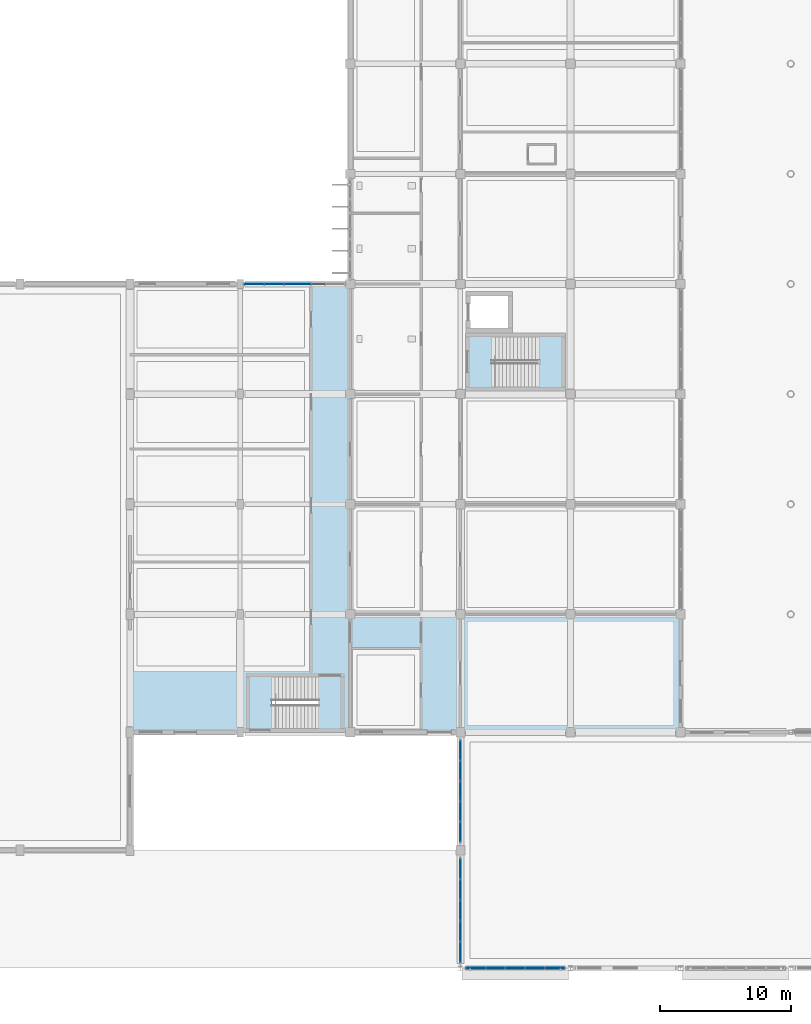
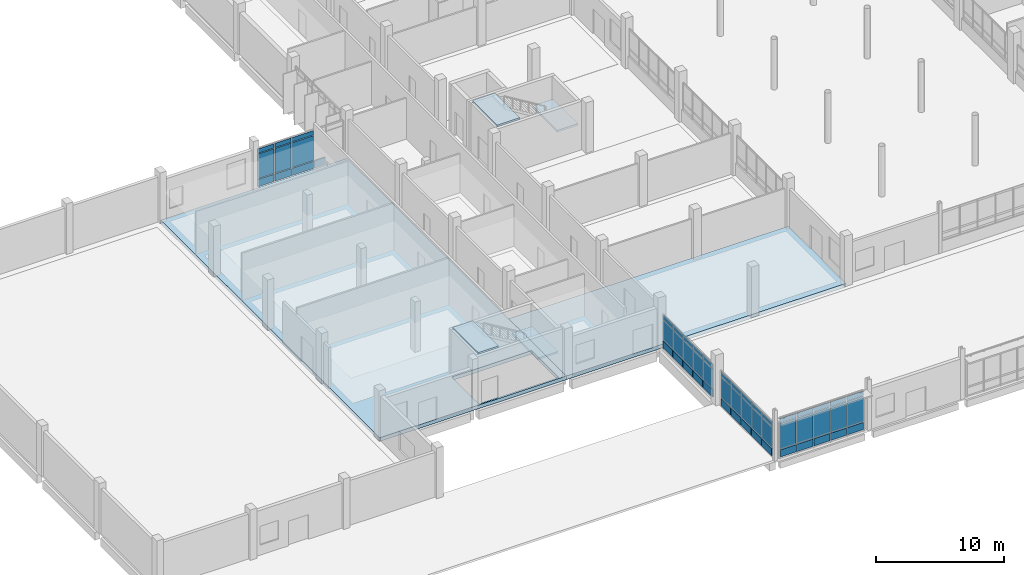
# One storey, part 62 of 95: 55 plates, 6 slabs, 1 opening, 6 elements without a shape of their own.
"""IFC4 building model written with IfcOpenShell, lengths in metres."""

import ifcopenshell
import ifcopenshell.guid

model = None  # the IFC model being written
_history = None  # IfcOwnerHistory: only IFC2X3 demands one
_inside = {}  # id of a spatial element -> (the spatial element, [elements in it])
_under = {}  # id of a project, library or spatial element -> (it, [spatial elements below it])
_declared = {}  # id of a project -> (the project, [libraries it declares])
_typed = {}  # id of a type object -> (the type object, [elements of that type])
_made_of = {}  # id of a material, layer set ... -> (it, [elements and type objects made of it])


def new_model(schema):
    """Start an empty IFC model of exactly this schema.

    Asked for "IFC4X3", IfcOpenShell would pick the latest addendum, in which some entities
    have other attributes; the version numbers below select the first issue.
    IFC2X3 requires an IfcOwnerHistory on every rooted entity: one is made here for all.
    """
    global model, _history
    if schema == "IFC4X3":
        model = ifcopenshell.file(schema_version=(4, 3, 0, 0))
    else:
        model = ifcopenshell.file(schema=schema)
    _inside.clear()
    _under.clear()
    _declared.clear()
    _typed.clear()
    _made_of.clear()
    _history = None
    if model.schema == "IFC2X3":
        org = make("IfcOrganization", Name="unknown")
        user = make(
            "IfcPersonAndOrganization",
            ThePerson=make("IfcPerson", FamilyName="unknown"),
            TheOrganization=org,
        )
        app = make(
            "IfcApplication",
            ApplicationDeveloper=org,
            Version="unknown",
            ApplicationFullName="unknown",
            ApplicationIdentifier="unknown",
        )
        _history = make(
            "IfcOwnerHistory",
            OwningUser=user,
            OwningApplication=app,
            ChangeAction="ADDED",
            CreationDate=0,
        )
    return model


def make(cls, **values):
    """One entity of the class cls with the attributes given. An attribute that is None is left unset."""
    return model.create_entity(
        cls, **{name: value for name, value in values.items() if value is not None}
    )


def rooted(cls, **values):
    """An entity with a GlobalId (a new one), such as an element, a storey or a relation."""
    return make(cls, GlobalId=ifcopenshell.guid.new(), OwnerHistory=_history, **values)


def si_unit(unit_type, name, prefix=None):
    """IfcSIUnit, for example si_unit("LENGTHUNIT", "METRE", prefix="MILLI")."""
    return make("IfcSIUnit", UnitType=unit_type, Prefix=prefix, Name=name)


def assignment(units):
    """IfcUnitAssignment: the units of a project."""
    return None if units is None else make("IfcUnitAssignment", Units=units)


def point(xyz):
    """IfcCartesianPoint."""
    return None if xyz is None else make("IfcCartesianPoint", Coordinates=xyz)


def direction(xyz):
    """IfcDirection."""
    return None if xyz is None else make("IfcDirection", DirectionRatios=xyz)


def frame(location, z_axis=None, x_axis=None):
    """IfcAxis2Placement3D, a coordinate frame: its origin and axes. An axis left out is left unset."""
    return make(
        "IfcAxis2Placement3D",
        Location=point(location),
        Axis=direction(z_axis),
        RefDirection=direction(x_axis),
    )


def frame_2d(location, x_axis=None):
    """IfcAxis2Placement2D, a coordinate frame in the plane: its origin and x axis."""
    return make(
        "IfcAxis2Placement2D", Location=point(location), RefDirection=direction(x_axis)
    )


def origin():
    """The frame at (0, 0, 0) with its axes left unset."""
    return frame((0.0, 0.0, 0.0))


def origin_2d():
    """The frame at (0, 0) in the plane with its x axis left unset."""
    return frame_2d((0.0, 0.0))


def place(relative_to, where):
    """IfcLocalPlacement: puts the frame where relative to a parent placement (None: the world)."""
    return make(
        "IfcLocalPlacement", PlacementRelTo=relative_to, RelativePlacement=where
    )


def context(
    kind, dimensions, precision=None, world=None, true_north=None, identifier=None
):
    """IfcGeometricRepresentationContext, for example the 3D "Model" context."""
    return make(
        "IfcGeometricRepresentationContext",
        ContextIdentifier=identifier,
        ContextType=kind,
        CoordinateSpaceDimension=dimensions,
        Precision=precision,
        WorldCoordinateSystem=world,
        TrueNorth=true_north,
    )


def subcontext(parent, identifier, kind, view, scale=None):
    """IfcGeometricRepresentationSubContext, for example "Body" below "Model"."""
    return make(
        "IfcGeometricRepresentationSubContext",
        ContextIdentifier=identifier,
        ContextType=kind,
        ParentContext=parent,
        TargetScale=scale,
        TargetView=view,
    )


def project(units=None, contexts=None):
    """IfcProject with its units and contexts."""
    return rooted(
        "IfcProject",
        Name="project",
        RepresentationContexts=contexts,
        UnitsInContext=assignment(units),
    )


def spatial(cls, under=None, at=None, **own):
    """A site, building, storey or space (cls), placed at a placement, below another one or the project."""
    s = rooted(cls, ObjectPlacement=at, **own)
    if under is not None:
        _under.setdefault(under.id(), (under, []))[1].append(s)
    return s


def polyline(points):
    """IfcPolyline through the points."""
    return make("IfcPolyline", Points=[point(p) for p in points])


def profile(cls, at=None, kind="AREA", **sizes):
    """A parametric profile (cls). Its sizes go by their IFC names, for example OverallWidth=200.0."""
    return make(cls, ProfileType=kind, Position=at, **sizes)


def rectangle(**sizes):
    """IfcRectangleProfileDef."""
    return profile("IfcRectangleProfileDef", **sizes)


def outline(outer, holes=None, kind="AREA"):
    """IfcArbitraryClosedProfileDef: a profile drawn as a closed curve; with holes, ...WithVoids."""
    if holes is None:
        return make("IfcArbitraryClosedProfileDef", ProfileType=kind, OuterCurve=outer)
    return make(
        "IfcArbitraryProfileDefWithVoids",
        ProfileType=kind,
        OuterCurve=outer,
        InnerCurves=holes,
    )


def extrude(swept, where, along, depth):
    """IfcExtrudedAreaSolid: the profile swept, set in the frame where, extruded along a direction by depth."""
    return make(
        "IfcExtrudedAreaSolid",
        SweptArea=swept,
        Position=where,
        ExtrudedDirection=direction(along),
        Depth=depth,
    )


def shape(context_of_items, identifier, shape_type, items):
    """IfcShapeRepresentation: the items that make up one representation, for example the "Body"."""
    return make(
        "IfcShapeRepresentation",
        ContextOfItems=context_of_items,
        RepresentationIdentifier=identifier,
        RepresentationType=shape_type,
        Items=items,
    )


def material(Name=None, Category=None):
    """IfcMaterial."""
    return make("IfcMaterial", Name=Name, Category=Category)


def layer(
    of_material, thickness, ventilated=None, Name=None, Category=None, Priority=None
):
    """IfcMaterialLayer: one layer of a wall or slab, of a material (None: an air gap)."""
    return make(
        "IfcMaterialLayer",
        Material=of_material,
        LayerThickness=thickness,
        IsVentilated=ventilated,
        Name=Name,
        Category=Category,
        Priority=Priority,
    )


def layer_set(layers, Name=None):
    """IfcMaterialLayerSet."""
    return make("IfcMaterialLayerSet", MaterialLayers=layers, LayerSetName=Name)


def made_of(thing, what):
    """Note that an element or type object is made of a material, layer set ...; save() writes the relation."""
    if what is not None:
        _made_of.setdefault(what.id(), (what, []))[1].append(thing)
    return thing


def type_object(cls, material=None, **own):
    """A type object (cls), such as IfcWallType, which elements share."""
    return made_of(rooted(cls, **own), material)


def element(
    cls,
    number,
    at=None,
    inside=None,
    cuts=None,
    type_object=None,
    material=None,
    context=None,
    identifier="Body",
    shape_type=None,
    held_by="IfcProductDefinitionShape",
    body=None,
    shapes=None,
    **own,
):
    """One element of the class cls, such as IfcWall. Its Tag is "e" and its number.

    at: its placement. inside: the storey or other place that contains it. cuts: it is an
    opening in that element (IfcRelVoidsElement). A single representation is given by context,
    identifier, shape_type and body (its items); several are given by shapes. held_by: the class
    of the entity that holds the representations. save() writes the other relations.
    """
    e = rooted(cls, Tag="e%d" % number, ObjectPlacement=at, **own)
    if body is not None:
        shapes = [shape(context, identifier, shape_type, body)]
    if shapes is not None:
        e.Representation = make(held_by, Representations=shapes)
    if inside is not None:
        _inside.setdefault(inside.id(), (inside, []))[1].append(e)
    if cuts is not None:
        rooted(
            "IfcRelVoidsElement", RelatingBuildingElement=cuts, RelatedOpeningElement=e
        )
    if type_object is not None:
        _typed.setdefault(type_object.id(), (type_object, []))[1].append(e)
    return made_of(e, material)


def aggregate(whole, parts):
    """IfcRelAggregates: a whole, such as a stair, and the parts it consists of."""
    return rooted("IfcRelAggregates", RelatingObject=whole, RelatedObjects=parts)


def save(model, path):
    """Write the relations noted so far, then the file.

    IfcRelAggregates (storeys below a building ...), IfcRelContainedInSpatialStructure (elements
    in a storey), IfcRelDefinesByType, IfcRelAssociatesMaterial and IfcRelDeclares: one each for
    every whole, place, type object, material and project.
    """
    for whole, parts in _under.values():
        aggregate(whole, parts)
    for where, things in _inside.values():
        rooted(
            "IfcRelContainedInSpatialStructure",
            RelatedElements=things,
            RelatingStructure=where,
        )
    for kind, things in _typed.values():
        rooted("IfcRelDefinesByType", RelatedObjects=things, RelatingType=kind)
    for what, things in _made_of.values():
        rooted("IfcRelAssociatesMaterial", RelatedObjects=things, RelatingMaterial=what)
    for by, libraries in _declared.values():
        rooted("IfcRelDeclares", RelatingContext=by, RelatedDefinitions=libraries)
    model.write(path)


model = new_model("IFC4")

# Units and contexts
model_context = context("Model", 3, precision=1e-05, world=origin(), true_north=direction((0.0, 1.0)))
body_context = subcontext(model_context, "Body", "Model", "MODEL_VIEW")
ifc_project = project(units=[si_unit("LENGTHUNIT", "METRE"), si_unit("AREAUNIT", "SQUARE_METRE"), si_unit("VOLUMEUNIT", "CUBIC_METRE"), si_unit("PLANEANGLEUNIT", "RADIAN"), si_unit("MASSUNIT", "GRAM", prefix="KILO")], contexts=[model_context])

# Site, building, storey
site_placement = place(None, origin())
site = spatial("IfcSite", under=ifc_project, at=site_placement, CompositionType="ELEMENT")
building_placement = place(site_placement, origin())
building = spatial("IfcBuilding", under=site, at=building_placement, Name="Vireocrest Preparatory School", CompositionType="ELEMENT")
storey_placement = place(building_placement, origin())
storey = spatial("IfcBuildingStorey", under=building, at=storey_placement, Name="L00", CompositionType="ELEMENT", Elevation=0.0)

# Curtain wall, plates
ifc_material_1 = material(Name="Thermally broken aluminium EN AW-6063-T6", Category="aluminium")
ifc_layer_1 = layer(ifc_material_1, 0.179931640625)
ifc_layer_set_1 = layer_set([ifc_layer_1], Name="Thermally broken aluminium EN AW-6063-T6")
curtain_wall_type_1 = type_object("IfcCurtainWallType", Name="Side Facade Curtain Wall 9000x4200", PredefinedType="USERDEFINED", material=ifc_layer_set_1)
curtain_wall_1_placement = place(storey_placement, origin())
curtain_wall_1 = element("IfcCurtainWall", 1, at=curtain_wall_1_placement, inside=storey, type_object=curtain_wall_type_1, Name="Curtain Wall CW07 CW_L00_CW07_0338_0522_000", ObjectType="CURTAIN WALL", PredefinedType="USERDEFINED")
ifc_material_2 = material(Name="Insulated triple low-e tempered safety glass", Category="glass")
ifc_layer_2 = layer(ifc_material_2, 0.074951171875)
ifc_layer_set_2 = layer_set([ifc_layer_2], Name="Insulated triple low-e tempered safety glass")
plate_type_1 = type_object("IfcPlateType", Name="Acoustic Triple-Glazed Lab Curtain Panel 75", PredefinedType="CURTAIN_PANEL", material=ifc_layer_set_2)
plate_1_placement = place(storey_placement, frame((34.657958984375, 52.199951171875, 0.882568359375), z_axis=(0.0, 0.0, 1.0), x_axis=(1.0, 0.0, 0.0)))
plate_1 = element("IfcPlate", 2, at=plate_1_placement, type_object=plate_type_1, Name="CW Panel GL2 CW_L00_CW07_0338_0522_000-1-2", PredefinedType="CURTAIN_PANEL", context=body_context, shape_type="SweptSolid", body=[
    extrude(rectangle(XDim=1.48095703125, YDim=0.074951171875, at=origin_2d()), origin(), (0.0, 0.0, 1.0), 2.35498046875),
])
plate_2_placement = place(storey_placement, frame((34.657958984375, 52.199951171875, 3.302734375), z_axis=(0.0, 0.0, 1.0), x_axis=(1.0, 0.0, 0.0)))
plate_2 = element("IfcPlate", 3, at=plate_2_placement, type_object=plate_type_1, Name="CW Panel GL2 CW_L00_CW07_0338_0522_000-1-3", PredefinedType="CURTAIN_PANEL", context=body_context, shape_type="SweptSolid", body=[
    extrude(rectangle(XDim=1.48095703125, YDim=0.074951171875, at=origin_2d()), origin(), (0.0, 0.0, 1.0), 0.409912109375),
])
plate_3_placement = place(storey_placement, frame((36.2041015625, 52.199951171875, 0.882568359375), z_axis=(0.0, 0.0, 1.0), x_axis=(1.0, 0.0, 0.0)))
plate_3 = element("IfcPlate", 4, at=plate_3_placement, type_object=plate_type_1, Name="CW Panel GL2 CW_L00_CW07_0338_0522_000-2-2", PredefinedType="CURTAIN_PANEL", context=body_context, shape_type="SweptSolid", body=[
    extrude(rectangle(XDim=1.48095703125, YDim=0.074951171875, at=origin_2d()), origin(), (0.0, 0.0, 1.0), 2.35498046875),
])
plate_4_placement = place(storey_placement, frame((36.2041015625, 52.199951171875, 3.302734375), z_axis=(0.0, 0.0, 1.0), x_axis=(1.0, 0.0, 0.0)))
plate_4 = element("IfcPlate", 5, at=plate_4_placement, type_object=plate_type_1, Name="CW Panel GL2 CW_L00_CW07_0338_0522_000-2-3", PredefinedType="CURTAIN_PANEL", context=body_context, shape_type="SweptSolid", body=[
    extrude(rectangle(XDim=1.48095703125, YDim=0.074951171875, at=origin_2d()), origin(), (0.0, 0.0, 1.0), 0.409912109375),
])
plate_5_placement = place(storey_placement, frame((37.988525390625, 52.199951171875, 0.882568359375), z_axis=(0.0, 0.0, 1.0), x_axis=(1.0, 0.0, 0.0)))
plate_5 = element("IfcPlate", 6, at=plate_5_placement, type_object=plate_type_1, Name="CW Panel GL2 CW_L00_CW07_0338_0522_000-3-2", PredefinedType="CURTAIN_PANEL", context=body_context, shape_type="SweptSolid", body=[
    extrude(rectangle(XDim=1.9580078125, YDim=0.074951171875, at=origin_2d()), origin(), (0.0, 0.0, 1.0), 2.35498046875),
])
plate_6_placement = place(storey_placement, frame((37.988525390625, 52.199951171875, 3.302734375), z_axis=(0.0, 0.0, 1.0), x_axis=(1.0, 0.0, 0.0)))
plate_6 = element("IfcPlate", 7, at=plate_6_placement, type_object=plate_type_1, Name="CW Panel GL2 CW_L00_CW07_0338_0522_000-3-3", PredefinedType="CURTAIN_PANEL", context=body_context, shape_type="SweptSolid", body=[
    extrude(rectangle(XDim=1.9580078125, YDim=0.074951171875, at=origin_2d()), origin(), (0.0, 0.0, 1.0), 0.409912109375),
])

# Slab, opening
ifc_material_3 = material(Name="Concrete 40 MPa", Category="concrete")
ifc_layer_3 = layer(ifc_material_3, 0.35009765625)
ifc_layer_set_3 = layer_set([ifc_layer_3], Name="Concrete 40 MPa")
slab_type_1 = type_object("IfcSlabType", Name="Ground-Floor Structural Transfer RC Slab 350", PredefinedType="FLOOR", material=ifc_layer_set_3)
slab_1_placement = place(storey_placement, frame((0.0, 0.0, -0.35009765625)))
slab_1 = element("IfcSlab", 8, at=slab_1_placement, inside=storey, type_object=slab_type_1, Name="Slab L00_WEST_LINK", PredefinedType="FLOOR", context=body_context, shape_type="SweptSolid", body=[
    extrude(outline(polyline([(25.199951171875, 18.0), (42.0, 18.0), (42.0, 52.199951171875), (25.199951171875, 52.199951171875), (25.199951171875, 18.0)])), origin(), (0.0, 0.0, 1.0), 0.35009765625),
])
opening_placement = place(slab_1_placement, frame((0.0, 0.0, -0.010009765625)))
element("IfcOpeningElement", 9, at=opening_placement, cuts=slab_1, Name="Slab Opening SLAB_L00_WEST_LINK-1", PredefinedType="OPENING", context=body_context, shape_type="SweptSolid", body=[
    extrude(outline(polyline([(34.199951171875, 18.14990234375), (41.39990234375, 18.14990234375), (41.39990234375, 22.35009765625), (34.199951171875, 22.35009765625), (34.199951171875, 18.14990234375)])), origin(), (0.0, 0.0, 1.0), 0.3701171875),
])

# Slab
slab_2_placement = place(storey_placement, frame((0.0, 0.0, -0.35009765625)))
element("IfcSlab", 10, at=slab_2_placement, inside=storey, type_object=slab_type_1, Name="Slab L00_WEST_SOUTH_FOYER", PredefinedType="FLOOR", context=body_context, shape_type="SweptSolid", body=[
    extrude(outline(polyline([(42.0, 18.0), (67.199951171875, 18.0), (67.199951171875, 27.0), (42.0, 27.0), (42.0, 18.0)])), origin(), (0.0, 0.0, 1.0), 0.35009765625),
])

# Plate
ifc_material_4 = material(Name="Painted white aluminium cladding EN AW-6063-T6", Category="aluminium")
ifc_layer_4 = layer(ifc_material_4, 0.114990234375)
ifc_layer_set_4 = layer_set([ifc_layer_4], Name="Painted white aluminium cladding EN AW-6063-T6")
plate_type_2 = type_object("IfcPlateType", Name="Insulated White Spandrel Curtain Panel 115", PredefinedType="CURTAIN_PANEL", material=ifc_layer_set_4)
plate_7_placement = place(storey_placement, frame((34.657958984375, 52.199951171875, 0.12744140625), z_axis=(0.0, 0.0, 1.0), x_axis=(1.0, 0.0, 0.0)))
plate_7 = element("IfcPlate", 11, at=plate_7_placement, type_object=plate_type_2, Name="CW Panel SP2 CW_L00_CW07_0338_0522_000-1-1", PredefinedType="CURTAIN_PANEL", context=body_context, shape_type="SweptSolid", body=[
    extrude(rectangle(XDim=1.48095703125, YDim=0.114990234375, at=origin_2d()), origin(), (0.0, 0.0, 1.0), 0.68994140625),
])

plate_8_placement = place(storey_placement, frame((36.2041015625, 52.199951171875, 0.12744140625), z_axis=(0.0, 0.0, 1.0), x_axis=(1.0, 0.0, 0.0)))
plate_8 = element("IfcPlate", 12, at=plate_8_placement, type_object=plate_type_2, Name="CW Panel SP2 CW_L00_CW07_0338_0522_000-2-1", PredefinedType="CURTAIN_PANEL", context=body_context, shape_type="SweptSolid", body=[
    extrude(rectangle(XDim=1.48095703125, YDim=0.114990234375, at=origin_2d()), origin(), (0.0, 0.0, 1.0), 0.68994140625),
])

plate_9_placement = place(storey_placement, frame((37.988525390625, 52.199951171875, 0.12744140625), z_axis=(0.0, 0.0, 1.0), x_axis=(1.0, 0.0, 0.0)))
plate_9 = element("IfcPlate", 13, at=plate_9_placement, type_object=plate_type_2, Name="CW Panel SP2 CW_L00_CW07_0338_0522_000-3-1", PredefinedType="CURTAIN_PANEL", context=body_context, shape_type="SweptSolid", body=[
    extrude(rectangle(XDim=1.9580078125, YDim=0.114990234375, at=origin_2d()), origin(), (0.0, 0.0, 1.0), 0.68994140625),
])

plate_10_placement = place(storey_placement, frame((39.534423828125, 52.199951171875, 0.12744140625), z_axis=(0.0, 0.0, 1.0), x_axis=(1.0, 0.0, 0.0)))
plate_10 = element("IfcPlate", 14, at=plate_10_placement, type_object=plate_type_2, Name="CW Panel SP2 CW_L00_CW07_0338_0522_000-4-1", PredefinedType="CURTAIN_PANEL", context=body_context, shape_type="SweptSolid", body=[
    extrude(rectangle(XDim=1.00390625, YDim=0.114990234375, at=origin_2d()), origin(), (0.0, 0.0, 1.0), 0.68994140625),
])

aggregate(curtain_wall_1, [plate_7, plate_1, plate_2, plate_8, plate_3, plate_4, plate_9, plate_5, plate_6, plate_10])

# Curtain wall, plates
ifc_layer_5 = layer(ifc_material_1, 0.179931640625)
ifc_layer_set_5 = layer_set([ifc_layer_5], Name="Thermally broken aluminium EN AW-6063-T6")
curtain_wall_type_2 = type_object("IfcCurtainWallType", Name="Dining Side Storefront 9000x4400", PredefinedType="USERDEFINED", material=ifc_layer_set_5)
curtain_wall_2_placement = place(storey_placement, origin())
curtain_wall_2 = element("IfcCurtainWall", 15, at=curtain_wall_2_placement, inside=storey, type_object=curtain_wall_type_2, Name="Curtain Wall CW11 CW_L00_CW11_0504_0003_000", ObjectType="CURTAIN WALL", PredefinedType="USERDEFINED")
plate_11_placement = place(storey_placement, frame((50.39990234375, 1.20751953125, 0.12744140625), z_axis=(0.0, 0.0, 1.0), x_axis=(0.0, 1.0, 0.0)))
plate_11 = element("IfcPlate", 16, at=plate_11_placement, type_object=plate_type_2, Name="CW Panel SP2 CW_L00_CW11_0504_0003_000-1-1", PredefinedType="CURTAIN_PANEL", context=body_context, shape_type="SweptSolid", body=[
    extrude(rectangle(XDim=1.5322265625, YDim=0.114990234375, at=origin_2d()), origin(), (0.0, 0.0, 1.0), 0.68994140625),
])
plate_12_placement = place(storey_placement, frame((50.39990234375, 2.8046875, 0.12744140625), z_axis=(0.0, 0.0, 1.0), x_axis=(0.0, 1.0, 0.0)))
plate_12 = element("IfcPlate", 17, at=plate_12_placement, type_object=plate_type_2, Name="CW Panel SP2 CW_L00_CW11_0504_0003_000-2-1", PredefinedType="CURTAIN_PANEL", context=body_context, shape_type="SweptSolid", body=[
    extrude(rectangle(XDim=1.5322265625, YDim=0.114990234375, at=origin_2d()), origin(), (0.0, 0.0, 1.0), 0.68994140625),
])
plate_13_placement = place(storey_placement, frame((50.39990234375, 4.402099609375, 0.12744140625), z_axis=(0.0, 0.0, 1.0), x_axis=(0.0, 1.0, 0.0)))
plate_13 = element("IfcPlate", 18, at=plate_13_placement, type_object=plate_type_2, Name="CW Panel SP2 CW_L00_CW11_0504_0003_000-3-1", PredefinedType="CURTAIN_PANEL", context=body_context, shape_type="SweptSolid", body=[
    extrude(rectangle(XDim=1.5322265625, YDim=0.114990234375, at=origin_2d()), origin(), (0.0, 0.0, 1.0), 0.68994140625),
])
plate_14_placement = place(storey_placement, frame((50.39990234375, 5.999267578125, 0.12744140625), z_axis=(0.0, 0.0, 1.0), x_axis=(0.0, 1.0, 0.0)))
plate_14 = element("IfcPlate", 19, at=plate_14_placement, type_object=plate_type_2, Name="CW Panel SP2 CW_L00_CW11_0504_0003_000-4-1", PredefinedType="CURTAIN_PANEL", context=body_context, shape_type="SweptSolid", body=[
    extrude(rectangle(XDim=1.5322265625, YDim=0.114990234375, at=origin_2d()), origin(), (0.0, 0.0, 1.0), 0.68994140625),
])
plate_15_placement = place(storey_placement, frame((50.39990234375, 7.596435546875, 0.12744140625), z_axis=(0.0, 0.0, 1.0), x_axis=(0.0, 1.0, 0.0)))
plate_15 = element("IfcPlate", 20, at=plate_15_placement, type_object=plate_type_2, Name="CW Panel SP2 CW_L00_CW11_0504_0003_000-5-1", PredefinedType="CURTAIN_PANEL", context=body_context, shape_type="SweptSolid", body=[
    extrude(rectangle(XDim=1.5322265625, YDim=0.114990234375, at=origin_2d()), origin(), (0.0, 0.0, 1.0), 0.68994140625),
])

curtain_wall_3_placement = place(storey_placement, origin())
curtain_wall_3 = element("IfcCurtainWall", 21, at=curtain_wall_3_placement, inside=storey, type_object=curtain_wall_type_2, Name="Curtain Wall CW11 CW_L00_CW11_0504_0095_000", ObjectType="CURTAIN WALL", PredefinedType="USERDEFINED")
plate_16_placement = place(storey_placement, frame((50.39990234375, 10.384033203125, 0.12744140625), z_axis=(0.0, 0.0, 1.0), x_axis=(0.0, 1.0, 0.0)))
plate_16 = element("IfcPlate", 22, at=plate_16_placement, type_object=plate_type_2, Name="CW Panel SP2 CW_L00_CW11_0504_0095_000-1-1", PredefinedType="CURTAIN_PANEL", context=body_context, shape_type="SweptSolid", body=[
    extrude(rectangle(XDim=1.492919921875, YDim=0.114990234375, at=origin_2d()), origin(), (0.0, 0.0, 1.0), 0.68994140625),
])
plate_17_placement = place(storey_placement, frame((50.39990234375, 11.94189453125, 0.12744140625), z_axis=(0.0, 0.0, 1.0), x_axis=(0.0, 1.0, 0.0)))
plate_17 = element("IfcPlate", 23, at=plate_17_placement, type_object=plate_type_2, Name="CW Panel SP2 CW_L00_CW11_0504_0095_000-2-1", PredefinedType="CURTAIN_PANEL", context=body_context, shape_type="SweptSolid", body=[
    extrude(rectangle(XDim=1.492919921875, YDim=0.114990234375, at=origin_2d()), origin(), (0.0, 0.0, 1.0), 0.68994140625),
])
plate_18_placement = place(storey_placement, frame((50.39990234375, 13.5, 0.12744140625), z_axis=(0.0, 0.0, 1.0), x_axis=(0.0, 1.0, 0.0)))
plate_18 = element("IfcPlate", 24, at=plate_18_placement, type_object=plate_type_2, Name="CW Panel SP2 CW_L00_CW11_0504_0095_000-3-1", PredefinedType="CURTAIN_PANEL", context=body_context, shape_type="SweptSolid", body=[
    extrude(rectangle(XDim=1.492919921875, YDim=0.114990234375, at=origin_2d()), origin(), (0.0, 0.0, 1.0), 0.68994140625),
])
plate_19_placement = place(storey_placement, frame((50.39990234375, 15.05810546875, 0.12744140625), z_axis=(0.0, 0.0, 1.0), x_axis=(0.0, 1.0, 0.0)))
plate_19 = element("IfcPlate", 25, at=plate_19_placement, type_object=plate_type_2, Name="CW Panel SP2 CW_L00_CW11_0504_0095_000-4-1", PredefinedType="CURTAIN_PANEL", context=body_context, shape_type="SweptSolid", body=[
    extrude(rectangle(XDim=1.492919921875, YDim=0.114990234375, at=origin_2d()), origin(), (0.0, 0.0, 1.0), 0.68994140625),
])
plate_20_placement = place(storey_placement, frame((50.39990234375, 16.615966796875, 0.12744140625), z_axis=(0.0, 0.0, 1.0), x_axis=(0.0, 1.0, 0.0)))
plate_20 = element("IfcPlate", 26, at=plate_20_placement, type_object=plate_type_2, Name="CW Panel SP2 CW_L00_CW11_0504_0095_000-5-1", PredefinedType="CURTAIN_PANEL", context=body_context, shape_type="SweptSolid", body=[
    extrude(rectangle(XDim=1.492919921875, YDim=0.114990234375, at=origin_2d()), origin(), (0.0, 0.0, 1.0), 0.68994140625),
])

ifc_layer_6 = layer(ifc_material_1, 0.179931640625)
ifc_layer_set_6 = layer_set([ifc_layer_6], Name="Thermally broken aluminium EN AW-6063-T6")
curtain_wall_type_3 = type_object("IfcCurtainWallType", Name="Dining Garden Storefront 8400x4400", PredefinedType="USERDEFINED", material=ifc_layer_set_6)
curtain_wall_4_placement = place(storey_placement, origin())
curtain_wall_4 = element("IfcCurtainWall", 27, at=curtain_wall_4_placement, inside=storey, type_object=curtain_wall_type_3, Name="Curtain Wall CW10 CW_L00_CW10_0507_0000_000", ObjectType="CURTAIN WALL", PredefinedType="USERDEFINED")
plate_21_placement = place(storey_placement, frame((51.562744140625, 0.0, 0.12744140625), z_axis=(0.0, 0.0, 1.0), x_axis=(1.0, 0.0, 0.0)))
plate_21 = element("IfcPlate", 28, at=plate_21_placement, type_object=plate_type_2, Name="CW Panel SP2 CW_L00_CW10_0507_0000_000-1-1", PredefinedType="CURTAIN_PANEL", context=body_context, shape_type="SweptSolid", body=[
    extrude(rectangle(XDim=1.445556640625, YDim=0.114990234375, at=origin_2d()), origin(), (0.0, 0.0, 1.0), 0.68994140625),
])
plate_22_placement = place(storey_placement, frame((53.073486328125, 0.0, 0.12744140625), z_axis=(0.0, 0.0, 1.0), x_axis=(1.0, 0.0, 0.0)))
plate_22 = element("IfcPlate", 29, at=plate_22_placement, type_object=plate_type_2, Name="CW Panel SP2 CW_L00_CW10_0507_0000_000-2-1", PredefinedType="CURTAIN_PANEL", context=body_context, shape_type="SweptSolid", body=[
    extrude(rectangle(XDim=1.445556640625, YDim=0.114990234375, at=origin_2d()), origin(), (0.0, 0.0, 1.0), 0.68994140625),
])
plate_23_placement = place(storey_placement, frame((54.583984375, 0.0, 0.12744140625), z_axis=(0.0, 0.0, 1.0), x_axis=(1.0, 0.0, 0.0)))
plate_23 = element("IfcPlate", 30, at=plate_23_placement, type_object=plate_type_2, Name="CW Panel SP2 CW_L00_CW10_0507_0000_000-3-1", PredefinedType="CURTAIN_PANEL", context=body_context, shape_type="SweptSolid", body=[
    extrude(rectangle(XDim=1.445556640625, YDim=0.114990234375, at=origin_2d()), origin(), (0.0, 0.0, 1.0), 0.68994140625),
])
plate_24_placement = place(storey_placement, frame((56.094482421875, 0.0, 0.12744140625), z_axis=(0.0, 0.0, 1.0), x_axis=(1.0, 0.0, 0.0)))
plate_24 = element("IfcPlate", 31, at=plate_24_placement, type_object=plate_type_2, Name="CW Panel SP2 CW_L00_CW10_0507_0000_000-4-1", PredefinedType="CURTAIN_PANEL", context=body_context, shape_type="SweptSolid", body=[
    extrude(rectangle(XDim=1.445556640625, YDim=0.114990234375, at=origin_2d()), origin(), (0.0, 0.0, 1.0), 0.68994140625),
])
plate_25_placement = place(storey_placement, frame((57.605224609375, 0.0, 0.12744140625), z_axis=(0.0, 0.0, 1.0), x_axis=(1.0, 0.0, 0.0)))
plate_25 = element("IfcPlate", 32, at=plate_25_placement, type_object=plate_type_2, Name="CW Panel SP2 CW_L00_CW10_0507_0000_000-5-1", PredefinedType="CURTAIN_PANEL", context=body_context, shape_type="SweptSolid", body=[
    extrude(rectangle(XDim=1.445556640625, YDim=0.114990234375, at=origin_2d()), origin(), (0.0, 0.0, 1.0), 0.68994140625),
])

# Stair, slabs
stair_type = type_object("IfcStairType", Name="Feature Commons Stair 4800 Rise 1800 Wide", PredefinedType="HALF_TURN_STAIR", material=ifc_material_3)
stair_1_placement = place(storey_placement, origin())
stair_1 = element("IfcStair", 33, at=stair_1_placement, inside=storey, type_object=stair_type, Name="Two-Run Stair ST1-L00", PredefinedType="HALF_TURN_STAIR")
ifc_layer_7 = layer(ifc_material_3, 0.179931640625)
ifc_layer_set_7 = layer_set([ifc_layer_7], Name="Concrete 40 MPa")
slab_type_2 = type_object("IfcSlabType", Name="Precast Concrete Stair Landing Slab 180", PredefinedType="LANDING", material=ifc_layer_set_7)
slab_3_placement = place(storey_placement, frame((0.0, 0.0, 2.219970703125)))
slab_3 = element("IfcSlab", 34, at=slab_3_placement, type_object=slab_type_2, Name="Stair Half-Landing ST1-L00", PredefinedType="LANDING", context=body_context, shape_type="SweptSolid", body=[
    extrude(outline(polyline([(56.360107421875, 44.31005859375), (58.2451171875, 44.31005859375), (58.2451171875, 48.18994140625), (56.360107421875, 48.18994140625), (56.360107421875, 44.31005859375)])), origin(), (0.0, 0.0, 1.0), 0.179931640625),
])
slab_4_placement = place(storey_placement, frame((0.0, 0.0, 4.6201171875)))
slab_4 = element("IfcSlab", 35, at=slab_4_placement, type_object=slab_type_2, Name="Stair Arrival Landing ST1-L00", PredefinedType="LANDING", context=body_context, shape_type="SweptSolid", body=[
    extrude(outline(polyline([(50.955078125, 44.31005859375), (53.010009765625, 44.31005859375), (53.010009765625, 48.18994140625), (50.955078125, 48.18994140625), (50.955078125, 44.31005859375)])), origin(), (0.0, 0.0, 1.0), 0.179931640625),
])
aggregate(stair_1, [slab_3, slab_4])

stair_2_placement = place(storey_placement, origin())
stair_2 = element("IfcStair", 36, at=stair_2_placement, inside=storey, type_object=stair_type, Name="Two-Run Stair ST5-L00", PredefinedType="HALF_TURN_STAIR")
slab_5_placement = place(storey_placement, frame((0.0, 0.0, 2.219970703125)))
slab_5 = element("IfcSlab", 37, at=slab_5_placement, type_object=slab_type_2, Name="Stair Half-Landing ST5-L00", PredefinedType="LANDING", context=body_context, shape_type="SweptSolid", body=[
    extrude(outline(polyline([(39.56005859375, 18.260009765625), (41.39501953125, 18.260009765625), (41.39501953125, 22.239990234375), (39.56005859375, 22.239990234375), (39.56005859375, 18.260009765625)])), origin(), (0.0, 0.0, 1.0), 0.179931640625),
])
slab_6_placement = place(storey_placement, frame((0.0, 0.0, 4.6201171875)))
slab_6 = element("IfcSlab", 38, at=slab_6_placement, type_object=slab_type_2, Name="Stair Arrival Landing ST5-L00", PredefinedType="LANDING", context=body_context, shape_type="SweptSolid", body=[
    extrude(outline(polyline([(34.205078125, 18.260009765625), (36.0400390625, 18.260009765625), (36.0400390625, 22.239990234375), (34.205078125, 22.239990234375), (34.205078125, 18.260009765625)])), origin(), (0.0, 0.0, 1.0), 0.179931640625),
])
aggregate(stair_2, [slab_5, slab_6])

# Plate
ifc_layer_8 = layer(ifc_material_2, 0.06005859375)
ifc_layer_set_8 = layer_set([ifc_layer_8], Name="Insulated triple low-e tempered safety glass")
plate_type_3 = type_object("IfcPlateType", Name="Triple-Glazed Vision Curtain Panel 60", PredefinedType="CURTAIN_PANEL", material=ifc_layer_set_8)
plate_26_placement = place(storey_placement, frame((50.39990234375, 1.20751953125, 0.88232421875), z_axis=(0.0, 0.0, 1.0), x_axis=(0.0, 1.0, 0.0)))
plate_26 = element("IfcPlate", 39, at=plate_26_placement, type_object=plate_type_3, Name="CW Panel GL1 CW_L00_CW11_0504_0003_000-1-2", PredefinedType="CURTAIN_PANEL", context=body_context, shape_type="SweptSolid", body=[
    extrude(rectangle(XDim=1.5322265625, YDim=0.06005859375, at=origin_2d()), origin(), (0.0, 0.0, 1.0), 1.965087890625),
])

plate_27_placement = place(storey_placement, frame((50.39990234375, 1.20751953125, 2.91259765625), z_axis=(0.0, 0.0, 1.0), x_axis=(0.0, 1.0, 0.0)))
plate_27 = element("IfcPlate", 40, at=plate_27_placement, type_object=plate_type_3, Name="CW Panel GL1 CW_L00_CW11_0504_0003_000-1-3", PredefinedType="CURTAIN_PANEL", context=body_context, shape_type="SweptSolid", body=[
    extrude(rectangle(XDim=1.5322265625, YDim=0.06005859375, at=origin_2d()), origin(), (0.0, 0.0, 1.0), 0.409912109375),
])

plate_28_placement = place(storey_placement, frame((50.39990234375, 2.8046875, 0.88232421875), z_axis=(0.0, 0.0, 1.0), x_axis=(0.0, 1.0, 0.0)))
plate_28 = element("IfcPlate", 41, at=plate_28_placement, type_object=plate_type_3, Name="CW Panel GL1 CW_L00_CW11_0504_0003_000-2-2", PredefinedType="CURTAIN_PANEL", context=body_context, shape_type="SweptSolid", body=[
    extrude(rectangle(XDim=1.5322265625, YDim=0.06005859375, at=origin_2d()), origin(), (0.0, 0.0, 1.0), 1.965087890625),
])

plate_29_placement = place(storey_placement, frame((50.39990234375, 2.8046875, 2.91259765625), z_axis=(0.0, 0.0, 1.0), x_axis=(0.0, 1.0, 0.0)))
plate_29 = element("IfcPlate", 42, at=plate_29_placement, type_object=plate_type_3, Name="CW Panel GL1 CW_L00_CW11_0504_0003_000-2-3", PredefinedType="CURTAIN_PANEL", context=body_context, shape_type="SweptSolid", body=[
    extrude(rectangle(XDim=1.5322265625, YDim=0.06005859375, at=origin_2d()), origin(), (0.0, 0.0, 1.0), 0.409912109375),
])

plate_30_placement = place(storey_placement, frame((50.39990234375, 4.402099609375, 0.88232421875), z_axis=(0.0, 0.0, 1.0), x_axis=(0.0, 1.0, 0.0)))
plate_30 = element("IfcPlate", 43, at=plate_30_placement, type_object=plate_type_3, Name="CW Panel GL1 CW_L00_CW11_0504_0003_000-3-2", PredefinedType="CURTAIN_PANEL", context=body_context, shape_type="SweptSolid", body=[
    extrude(rectangle(XDim=1.5322265625, YDim=0.06005859375, at=origin_2d()), origin(), (0.0, 0.0, 1.0), 1.965087890625),
])

plate_31_placement = place(storey_placement, frame((50.39990234375, 4.402099609375, 2.91259765625), z_axis=(0.0, 0.0, 1.0), x_axis=(0.0, 1.0, 0.0)))
plate_31 = element("IfcPlate", 44, at=plate_31_placement, type_object=plate_type_3, Name="CW Panel GL1 CW_L00_CW11_0504_0003_000-3-3", PredefinedType="CURTAIN_PANEL", context=body_context, shape_type="SweptSolid", body=[
    extrude(rectangle(XDim=1.5322265625, YDim=0.06005859375, at=origin_2d()), origin(), (0.0, 0.0, 1.0), 0.409912109375),
])

plate_32_placement = place(storey_placement, frame((50.39990234375, 5.999267578125, 0.88232421875), z_axis=(0.0, 0.0, 1.0), x_axis=(0.0, 1.0, 0.0)))
plate_32 = element("IfcPlate", 45, at=plate_32_placement, type_object=plate_type_3, Name="CW Panel GL1 CW_L00_CW11_0504_0003_000-4-2", PredefinedType="CURTAIN_PANEL", context=body_context, shape_type="SweptSolid", body=[
    extrude(rectangle(XDim=1.5322265625, YDim=0.06005859375, at=origin_2d()), origin(), (0.0, 0.0, 1.0), 1.965087890625),
])

plate_33_placement = place(storey_placement, frame((50.39990234375, 5.999267578125, 2.91259765625), z_axis=(0.0, 0.0, 1.0), x_axis=(0.0, 1.0, 0.0)))
plate_33 = element("IfcPlate", 46, at=plate_33_placement, type_object=plate_type_3, Name="CW Panel GL1 CW_L00_CW11_0504_0003_000-4-3", PredefinedType="CURTAIN_PANEL", context=body_context, shape_type="SweptSolid", body=[
    extrude(rectangle(XDim=1.5322265625, YDim=0.06005859375, at=origin_2d()), origin(), (0.0, 0.0, 1.0), 0.409912109375),
])

plate_34_placement = place(storey_placement, frame((50.39990234375, 7.596435546875, 0.88232421875), z_axis=(0.0, 0.0, 1.0), x_axis=(0.0, 1.0, 0.0)))
plate_34 = element("IfcPlate", 47, at=plate_34_placement, type_object=plate_type_3, Name="CW Panel GL1 CW_L00_CW11_0504_0003_000-5-2", PredefinedType="CURTAIN_PANEL", context=body_context, shape_type="SweptSolid", body=[
    extrude(rectangle(XDim=1.5322265625, YDim=0.06005859375, at=origin_2d()), origin(), (0.0, 0.0, 1.0), 1.965087890625),
])

plate_35_placement = place(storey_placement, frame((50.39990234375, 7.596435546875, 2.91259765625), z_axis=(0.0, 0.0, 1.0), x_axis=(0.0, 1.0, 0.0)))
plate_35 = element("IfcPlate", 48, at=plate_35_placement, type_object=plate_type_3, Name="CW Panel GL1 CW_L00_CW11_0504_0003_000-5-3", PredefinedType="CURTAIN_PANEL", context=body_context, shape_type="SweptSolid", body=[
    extrude(rectangle(XDim=1.5322265625, YDim=0.06005859375, at=origin_2d()), origin(), (0.0, 0.0, 1.0), 0.409912109375),
])

aggregate(curtain_wall_2, [plate_11, plate_26, plate_27, plate_12, plate_28, plate_29, plate_13, plate_30, plate_31, plate_14, plate_32, plate_33, plate_15, plate_34, plate_35])

plate_36_placement = place(storey_placement, frame((50.39990234375, 10.384033203125, 0.88232421875), z_axis=(0.0, 0.0, 1.0), x_axis=(0.0, 1.0, 0.0)))
plate_36 = element("IfcPlate", 49, at=plate_36_placement, type_object=plate_type_3, Name="CW Panel GL1 CW_L00_CW11_0504_0095_000-1-2", PredefinedType="CURTAIN_PANEL", context=body_context, shape_type="SweptSolid", body=[
    extrude(rectangle(XDim=1.492919921875, YDim=0.06005859375, at=origin_2d()), origin(), (0.0, 0.0, 1.0), 1.864990234375),
])

plate_37_placement = place(storey_placement, frame((50.39990234375, 10.384033203125, 2.8125), z_axis=(0.0, 0.0, 1.0), x_axis=(0.0, 1.0, 0.0)))
plate_37 = element("IfcPlate", 50, at=plate_37_placement, type_object=plate_type_3, Name="CW Panel GL1 CW_L00_CW11_0504_0095_000-1-3", PredefinedType="CURTAIN_PANEL", context=body_context, shape_type="SweptSolid", body=[
    extrude(rectangle(XDim=1.492919921875, YDim=0.06005859375, at=origin_2d()), origin(), (0.0, 0.0, 1.0), 0.409912109375),
])

plate_38_placement = place(storey_placement, frame((50.39990234375, 11.94189453125, 0.88232421875), z_axis=(0.0, 0.0, 1.0), x_axis=(0.0, 1.0, 0.0)))
plate_38 = element("IfcPlate", 51, at=plate_38_placement, type_object=plate_type_3, Name="CW Panel GL1 CW_L00_CW11_0504_0095_000-2-2", PredefinedType="CURTAIN_PANEL", context=body_context, shape_type="SweptSolid", body=[
    extrude(rectangle(XDim=1.492919921875, YDim=0.06005859375, at=origin_2d()), origin(), (0.0, 0.0, 1.0), 1.864990234375),
])

plate_39_placement = place(storey_placement, frame((50.39990234375, 11.94189453125, 2.8125), z_axis=(0.0, 0.0, 1.0), x_axis=(0.0, 1.0, 0.0)))
plate_39 = element("IfcPlate", 52, at=plate_39_placement, type_object=plate_type_3, Name="CW Panel GL1 CW_L00_CW11_0504_0095_000-2-3", PredefinedType="CURTAIN_PANEL", context=body_context, shape_type="SweptSolid", body=[
    extrude(rectangle(XDim=1.492919921875, YDim=0.06005859375, at=origin_2d()), origin(), (0.0, 0.0, 1.0), 0.409912109375),
])

plate_40_placement = place(storey_placement, frame((50.39990234375, 13.5, 0.88232421875), z_axis=(0.0, 0.0, 1.0), x_axis=(0.0, 1.0, 0.0)))
plate_40 = element("IfcPlate", 53, at=plate_40_placement, type_object=plate_type_3, Name="CW Panel GL1 CW_L00_CW11_0504_0095_000-3-2", PredefinedType="CURTAIN_PANEL", context=body_context, shape_type="SweptSolid", body=[
    extrude(rectangle(XDim=1.492919921875, YDim=0.06005859375, at=origin_2d()), origin(), (0.0, 0.0, 1.0), 1.864990234375),
])

plate_41_placement = place(storey_placement, frame((50.39990234375, 13.5, 2.8125), z_axis=(0.0, 0.0, 1.0), x_axis=(0.0, 1.0, 0.0)))
plate_41 = element("IfcPlate", 54, at=plate_41_placement, type_object=plate_type_3, Name="CW Panel GL1 CW_L00_CW11_0504_0095_000-3-3", PredefinedType="CURTAIN_PANEL", context=body_context, shape_type="SweptSolid", body=[
    extrude(rectangle(XDim=1.492919921875, YDim=0.06005859375, at=origin_2d()), origin(), (0.0, 0.0, 1.0), 0.409912109375),
])

plate_42_placement = place(storey_placement, frame((50.39990234375, 15.05810546875, 0.88232421875), z_axis=(0.0, 0.0, 1.0), x_axis=(0.0, 1.0, 0.0)))
plate_42 = element("IfcPlate", 55, at=plate_42_placement, type_object=plate_type_3, Name="CW Panel GL1 CW_L00_CW11_0504_0095_000-4-2", PredefinedType="CURTAIN_PANEL", context=body_context, shape_type="SweptSolid", body=[
    extrude(rectangle(XDim=1.492919921875, YDim=0.06005859375, at=origin_2d()), origin(), (0.0, 0.0, 1.0), 1.864990234375),
])

plate_43_placement = place(storey_placement, frame((50.39990234375, 15.05810546875, 2.8125), z_axis=(0.0, 0.0, 1.0), x_axis=(0.0, 1.0, 0.0)))
plate_43 = element("IfcPlate", 56, at=plate_43_placement, type_object=plate_type_3, Name="CW Panel GL1 CW_L00_CW11_0504_0095_000-4-3", PredefinedType="CURTAIN_PANEL", context=body_context, shape_type="SweptSolid", body=[
    extrude(rectangle(XDim=1.492919921875, YDim=0.06005859375, at=origin_2d()), origin(), (0.0, 0.0, 1.0), 0.409912109375),
])

plate_44_placement = place(storey_placement, frame((50.39990234375, 16.615966796875, 0.88232421875), z_axis=(0.0, 0.0, 1.0), x_axis=(0.0, 1.0, 0.0)))
plate_44 = element("IfcPlate", 57, at=plate_44_placement, type_object=plate_type_3, Name="CW Panel GL1 CW_L00_CW11_0504_0095_000-5-2", PredefinedType="CURTAIN_PANEL", context=body_context, shape_type="SweptSolid", body=[
    extrude(rectangle(XDim=1.492919921875, YDim=0.06005859375, at=origin_2d()), origin(), (0.0, 0.0, 1.0), 1.864990234375),
])

plate_45_placement = place(storey_placement, frame((50.39990234375, 16.615966796875, 2.8125), z_axis=(0.0, 0.0, 1.0), x_axis=(0.0, 1.0, 0.0)))
plate_45 = element("IfcPlate", 58, at=plate_45_placement, type_object=plate_type_3, Name="CW Panel GL1 CW_L00_CW11_0504_0095_000-5-3", PredefinedType="CURTAIN_PANEL", context=body_context, shape_type="SweptSolid", body=[
    extrude(rectangle(XDim=1.492919921875, YDim=0.06005859375, at=origin_2d()), origin(), (0.0, 0.0, 1.0), 0.409912109375),
])

aggregate(curtain_wall_3, [plate_16, plate_36, plate_37, plate_17, plate_38, plate_39, plate_18, plate_40, plate_41, plate_19, plate_42, plate_43, plate_20, plate_44, plate_45])

plate_46_placement = place(storey_placement, frame((51.562744140625, 0.0, 0.88232421875), z_axis=(0.0, 0.0, 1.0), x_axis=(1.0, 0.0, 0.0)))
plate_46 = element("IfcPlate", 59, at=plate_46_placement, type_object=plate_type_3, Name="CW Panel GL1 CW_L00_CW10_0507_0000_000-1-2", PredefinedType="CURTAIN_PANEL", context=body_context, shape_type="SweptSolid", body=[
    extrude(rectangle(XDim=1.445556640625, YDim=0.06005859375, at=origin_2d()), origin(), (0.0, 0.0, 1.0), 2.412109375),
])

plate_47_placement = place(storey_placement, frame((51.562744140625, 0.0, 3.359375), z_axis=(0.0, 0.0, 1.0), x_axis=(1.0, 0.0, 0.0)))
plate_47 = element("IfcPlate", 60, at=plate_47_placement, type_object=plate_type_3, Name="CW Panel GL1 CW_L00_CW10_0507_0000_000-1-3", PredefinedType="CURTAIN_PANEL", context=body_context, shape_type="SweptSolid", body=[
    extrude(rectangle(XDim=1.445556640625, YDim=0.06005859375, at=origin_2d()), origin(), (0.0, 0.0, 1.0), 0.409912109375),
])

plate_48_placement = place(storey_placement, frame((53.073486328125, 0.0, 0.88232421875), z_axis=(0.0, 0.0, 1.0), x_axis=(1.0, 0.0, 0.0)))
plate_48 = element("IfcPlate", 61, at=plate_48_placement, type_object=plate_type_3, Name="CW Panel GL1 CW_L00_CW10_0507_0000_000-2-2", PredefinedType="CURTAIN_PANEL", context=body_context, shape_type="SweptSolid", body=[
    extrude(rectangle(XDim=1.445556640625, YDim=0.06005859375, at=origin_2d()), origin(), (0.0, 0.0, 1.0), 2.412109375),
])

plate_49_placement = place(storey_placement, frame((53.073486328125, 0.0, 3.359375), z_axis=(0.0, 0.0, 1.0), x_axis=(1.0, 0.0, 0.0)))
plate_49 = element("IfcPlate", 62, at=plate_49_placement, type_object=plate_type_3, Name="CW Panel GL1 CW_L00_CW10_0507_0000_000-2-3", PredefinedType="CURTAIN_PANEL", context=body_context, shape_type="SweptSolid", body=[
    extrude(rectangle(XDim=1.445556640625, YDim=0.06005859375, at=origin_2d()), origin(), (0.0, 0.0, 1.0), 0.409912109375),
])

plate_50_placement = place(storey_placement, frame((54.583984375, 0.0, 0.88232421875), z_axis=(0.0, 0.0, 1.0), x_axis=(1.0, 0.0, 0.0)))
plate_50 = element("IfcPlate", 63, at=plate_50_placement, type_object=plate_type_3, Name="CW Panel GL1 CW_L00_CW10_0507_0000_000-3-2", PredefinedType="CURTAIN_PANEL", context=body_context, shape_type="SweptSolid", body=[
    extrude(rectangle(XDim=1.445556640625, YDim=0.06005859375, at=origin_2d()), origin(), (0.0, 0.0, 1.0), 2.412109375),
])

plate_51_placement = place(storey_placement, frame((54.583984375, 0.0, 3.359375), z_axis=(0.0, 0.0, 1.0), x_axis=(1.0, 0.0, 0.0)))
plate_51 = element("IfcPlate", 64, at=plate_51_placement, type_object=plate_type_3, Name="CW Panel GL1 CW_L00_CW10_0507_0000_000-3-3", PredefinedType="CURTAIN_PANEL", context=body_context, shape_type="SweptSolid", body=[
    extrude(rectangle(XDim=1.445556640625, YDim=0.06005859375, at=origin_2d()), origin(), (0.0, 0.0, 1.0), 0.409912109375),
])

plate_52_placement = place(storey_placement, frame((56.094482421875, 0.0, 0.88232421875), z_axis=(0.0, 0.0, 1.0), x_axis=(1.0, 0.0, 0.0)))
plate_52 = element("IfcPlate", 65, at=plate_52_placement, type_object=plate_type_3, Name="CW Panel GL1 CW_L00_CW10_0507_0000_000-4-2", PredefinedType="CURTAIN_PANEL", context=body_context, shape_type="SweptSolid", body=[
    extrude(rectangle(XDim=1.445556640625, YDim=0.06005859375, at=origin_2d()), origin(), (0.0, 0.0, 1.0), 2.412109375),
])

plate_53_placement = place(storey_placement, frame((56.094482421875, 0.0, 3.359375), z_axis=(0.0, 0.0, 1.0), x_axis=(1.0, 0.0, 0.0)))
plate_53 = element("IfcPlate", 66, at=plate_53_placement, type_object=plate_type_3, Name="CW Panel GL1 CW_L00_CW10_0507_0000_000-4-3", PredefinedType="CURTAIN_PANEL", context=body_context, shape_type="SweptSolid", body=[
    extrude(rectangle(XDim=1.445556640625, YDim=0.06005859375, at=origin_2d()), origin(), (0.0, 0.0, 1.0), 0.409912109375),
])

plate_54_placement = place(storey_placement, frame((57.605224609375, 0.0, 0.88232421875), z_axis=(0.0, 0.0, 1.0), x_axis=(1.0, 0.0, 0.0)))
plate_54 = element("IfcPlate", 67, at=plate_54_placement, type_object=plate_type_3, Name="CW Panel GL1 CW_L00_CW10_0507_0000_000-5-2", PredefinedType="CURTAIN_PANEL", context=body_context, shape_type="SweptSolid", body=[
    extrude(rectangle(XDim=1.445556640625, YDim=0.06005859375, at=origin_2d()), origin(), (0.0, 0.0, 1.0), 2.412109375),
])

plate_55_placement = place(storey_placement, frame((57.605224609375, 0.0, 3.359375), z_axis=(0.0, 0.0, 1.0), x_axis=(1.0, 0.0, 0.0)))
plate_55 = element("IfcPlate", 68, at=plate_55_placement, type_object=plate_type_3, Name="CW Panel GL1 CW_L00_CW10_0507_0000_000-5-3", PredefinedType="CURTAIN_PANEL", context=body_context, shape_type="SweptSolid", body=[
    extrude(rectangle(XDim=1.445556640625, YDim=0.06005859375, at=origin_2d()), origin(), (0.0, 0.0, 1.0), 0.409912109375),
])

aggregate(curtain_wall_4, [plate_21, plate_46, plate_47, plate_22, plate_48, plate_49, plate_23, plate_50, plate_51, plate_24, plate_52, plate_53, plate_25, plate_54, plate_55])

save(model, "model.ifc")
